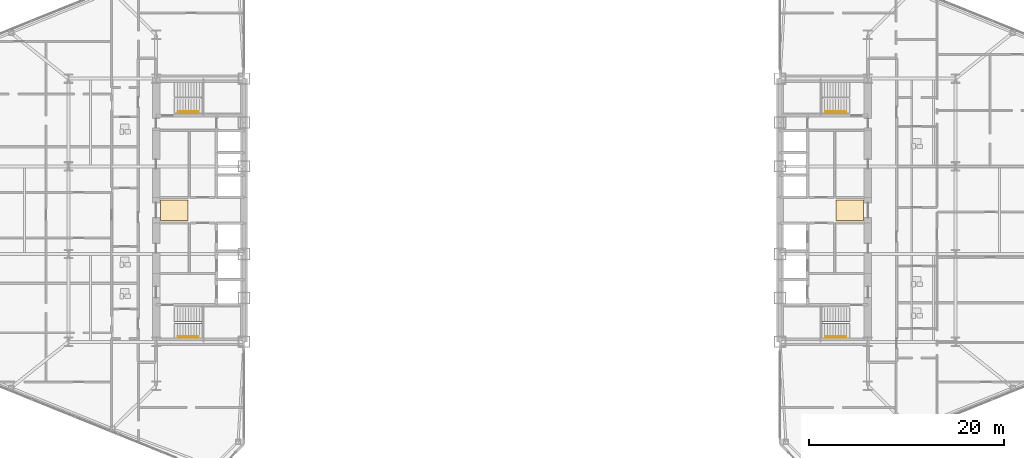
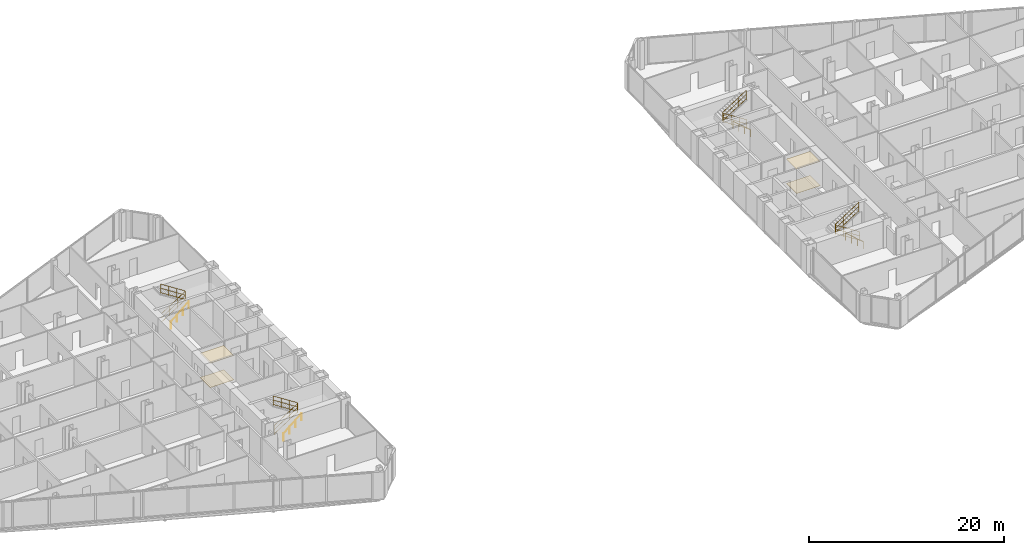
# One storey, part 24 of 25: 8 railings, 4 coverings.
"""IFC4 building model written with IfcOpenShell, lengths in metres."""

import ifcopenshell
import ifcopenshell.guid

model = None  # the IFC model being written
_history = None  # IfcOwnerHistory: only IFC2X3 demands one
_inside = {}  # id of a spatial element -> (the spatial element, [elements in it])
_under = {}  # id of a project, library or spatial element -> (it, [spatial elements below it])
_declared = {}  # id of a project -> (the project, [libraries it declares])
_typed = {}  # id of a type object -> (the type object, [elements of that type])
_made_of = {}  # id of a material, layer set ... -> (it, [elements and type objects made of it])


def new_model(schema):
    """Start an empty IFC model of exactly this schema.

    Asked for "IFC4X3", IfcOpenShell would pick the latest addendum, in which some entities
    have other attributes; the version numbers below select the first issue.
    IFC2X3 requires an IfcOwnerHistory on every rooted entity: one is made here for all.
    """
    global model, _history
    if schema == "IFC4X3":
        model = ifcopenshell.file(schema_version=(4, 3, 0, 0))
    else:
        model = ifcopenshell.file(schema=schema)
    _inside.clear()
    _under.clear()
    _declared.clear()
    _typed.clear()
    _made_of.clear()
    _history = None
    if model.schema == "IFC2X3":
        org = make("IfcOrganization", Name="unknown")
        user = make(
            "IfcPersonAndOrganization",
            ThePerson=make("IfcPerson", FamilyName="unknown"),
            TheOrganization=org,
        )
        app = make(
            "IfcApplication",
            ApplicationDeveloper=org,
            Version="unknown",
            ApplicationFullName="unknown",
            ApplicationIdentifier="unknown",
        )
        _history = make(
            "IfcOwnerHistory",
            OwningUser=user,
            OwningApplication=app,
            ChangeAction="ADDED",
            CreationDate=0,
        )
    return model


def make(cls, **values):
    """One entity of the class cls with the attributes given. An attribute that is None is left unset."""
    return model.create_entity(
        cls, **{name: value for name, value in values.items() if value is not None}
    )


def rooted(cls, **values):
    """An entity with a GlobalId (a new one), such as an element, a storey or a relation."""
    return make(cls, GlobalId=ifcopenshell.guid.new(), OwnerHistory=_history, **values)


def si_unit(unit_type, name, prefix=None):
    """IfcSIUnit, for example si_unit("LENGTHUNIT", "METRE", prefix="MILLI")."""
    return make("IfcSIUnit", UnitType=unit_type, Prefix=prefix, Name=name)


def assignment(units):
    """IfcUnitAssignment: the units of a project."""
    return None if units is None else make("IfcUnitAssignment", Units=units)


def point(xyz):
    """IfcCartesianPoint."""
    return None if xyz is None else make("IfcCartesianPoint", Coordinates=xyz)


def direction(xyz):
    """IfcDirection."""
    return None if xyz is None else make("IfcDirection", DirectionRatios=xyz)


def frame(location, z_axis=None, x_axis=None):
    """IfcAxis2Placement3D, a coordinate frame: its origin and axes. An axis left out is left unset."""
    return make(
        "IfcAxis2Placement3D",
        Location=point(location),
        Axis=direction(z_axis),
        RefDirection=direction(x_axis),
    )


def frame_2d(location, x_axis=None):
    """IfcAxis2Placement2D, a coordinate frame in the plane: its origin and x axis."""
    return make(
        "IfcAxis2Placement2D", Location=point(location), RefDirection=direction(x_axis)
    )


def origin():
    """The frame at (0, 0, 0) with its axes left unset."""
    return frame((0.0, 0.0, 0.0))


def origin_2d():
    """The frame at (0, 0) in the plane with its x axis left unset."""
    return frame_2d((0.0, 0.0))


def place(relative_to, where):
    """IfcLocalPlacement: puts the frame where relative to a parent placement (None: the world)."""
    return make(
        "IfcLocalPlacement", PlacementRelTo=relative_to, RelativePlacement=where
    )


def context(
    kind, dimensions, precision=None, world=None, true_north=None, identifier=None
):
    """IfcGeometricRepresentationContext, for example the 3D "Model" context."""
    return make(
        "IfcGeometricRepresentationContext",
        ContextIdentifier=identifier,
        ContextType=kind,
        CoordinateSpaceDimension=dimensions,
        Precision=precision,
        WorldCoordinateSystem=world,
        TrueNorth=true_north,
    )


def subcontext(parent, identifier, kind, view, scale=None):
    """IfcGeometricRepresentationSubContext, for example "Body" below "Model"."""
    return make(
        "IfcGeometricRepresentationSubContext",
        ContextIdentifier=identifier,
        ContextType=kind,
        ParentContext=parent,
        TargetScale=scale,
        TargetView=view,
    )


def project(units=None, contexts=None):
    """IfcProject with its units and contexts."""
    return rooted(
        "IfcProject",
        Name="project",
        RepresentationContexts=contexts,
        UnitsInContext=assignment(units),
    )


def spatial(cls, under=None, at=None, **own):
    """A site, building, storey or space (cls), placed at a placement, below another one or the project."""
    s = rooted(cls, ObjectPlacement=at, **own)
    if under is not None:
        _under.setdefault(under.id(), (under, []))[1].append(s)
    return s


def polyline(points):
    """IfcPolyline through the points."""
    return make("IfcPolyline", Points=[point(p) for p in points])


def profile(cls, at=None, kind="AREA", **sizes):
    """A parametric profile (cls). Its sizes go by their IFC names, for example OverallWidth=200.0."""
    return make(cls, ProfileType=kind, Position=at, **sizes)


def circle(**sizes):
    """IfcCircleProfileDef."""
    return profile("IfcCircleProfileDef", **sizes)


def outline(outer, holes=None, kind="AREA"):
    """IfcArbitraryClosedProfileDef: a profile drawn as a closed curve; with holes, ...WithVoids."""
    if holes is None:
        return make("IfcArbitraryClosedProfileDef", ProfileType=kind, OuterCurve=outer)
    return make(
        "IfcArbitraryProfileDefWithVoids",
        ProfileType=kind,
        OuterCurve=outer,
        InnerCurves=holes,
    )


def extrude(swept, where, along, depth):
    """IfcExtrudedAreaSolid: the profile swept, set in the frame where, extruded along a direction by depth."""
    return make(
        "IfcExtrudedAreaSolid",
        SweptArea=swept,
        Position=where,
        ExtrudedDirection=direction(along),
        Depth=depth,
    )


def shape(context_of_items, identifier, shape_type, items):
    """IfcShapeRepresentation: the items that make up one representation, for example the "Body"."""
    return make(
        "IfcShapeRepresentation",
        ContextOfItems=context_of_items,
        RepresentationIdentifier=identifier,
        RepresentationType=shape_type,
        Items=items,
    )


def material(Name=None, Category=None):
    """IfcMaterial."""
    return make("IfcMaterial", Name=Name, Category=Category)


def layer(
    of_material, thickness, ventilated=None, Name=None, Category=None, Priority=None
):
    """IfcMaterialLayer: one layer of a wall or slab, of a material (None: an air gap)."""
    return make(
        "IfcMaterialLayer",
        Material=of_material,
        LayerThickness=thickness,
        IsVentilated=ventilated,
        Name=Name,
        Category=Category,
        Priority=Priority,
    )


def layer_set(layers, Name=None):
    """IfcMaterialLayerSet."""
    return make("IfcMaterialLayerSet", MaterialLayers=layers, LayerSetName=Name)


def made_of(thing, what):
    """Note that an element or type object is made of a material, layer set ...; save() writes the relation."""
    if what is not None:
        _made_of.setdefault(what.id(), (what, []))[1].append(thing)
    return thing


def type_object(cls, material=None, **own):
    """A type object (cls), such as IfcWallType, which elements share."""
    return made_of(rooted(cls, **own), material)


def element(
    cls,
    number,
    at=None,
    inside=None,
    cuts=None,
    type_object=None,
    material=None,
    context=None,
    identifier="Body",
    shape_type=None,
    held_by="IfcProductDefinitionShape",
    body=None,
    shapes=None,
    **own,
):
    """One element of the class cls, such as IfcWall. Its Tag is "e" and its number.

    at: its placement. inside: the storey or other place that contains it. cuts: it is an
    opening in that element (IfcRelVoidsElement). A single representation is given by context,
    identifier, shape_type and body (its items); several are given by shapes. held_by: the class
    of the entity that holds the representations. save() writes the other relations.
    """
    e = rooted(cls, Tag="e%d" % number, ObjectPlacement=at, **own)
    if body is not None:
        shapes = [shape(context, identifier, shape_type, body)]
    if shapes is not None:
        e.Representation = make(held_by, Representations=shapes)
    if inside is not None:
        _inside.setdefault(inside.id(), (inside, []))[1].append(e)
    if cuts is not None:
        rooted(
            "IfcRelVoidsElement", RelatingBuildingElement=cuts, RelatedOpeningElement=e
        )
    if type_object is not None:
        _typed.setdefault(type_object.id(), (type_object, []))[1].append(e)
    return made_of(e, material)


def aggregate(whole, parts):
    """IfcRelAggregates: a whole, such as a stair, and the parts it consists of."""
    return rooted("IfcRelAggregates", RelatingObject=whole, RelatedObjects=parts)


def save(model, path):
    """Write the relations noted so far, then the file.

    IfcRelAggregates (storeys below a building ...), IfcRelContainedInSpatialStructure (elements
    in a storey), IfcRelDefinesByType, IfcRelAssociatesMaterial and IfcRelDeclares: one each for
    every whole, place, type object, material and project.
    """
    for whole, parts in _under.values():
        aggregate(whole, parts)
    for where, things in _inside.values():
        rooted(
            "IfcRelContainedInSpatialStructure",
            RelatedElements=things,
            RelatingStructure=where,
        )
    for kind, things in _typed.values():
        rooted("IfcRelDefinesByType", RelatedObjects=things, RelatingType=kind)
    for what, things in _made_of.values():
        rooted("IfcRelAssociatesMaterial", RelatedObjects=things, RelatingMaterial=what)
    for by, libraries in _declared.values():
        rooted("IfcRelDeclares", RelatingContext=by, RelatedDefinitions=libraries)
    model.write(path)


model = new_model("IFC4")

# Units and contexts
model_context = context("Model", 3, precision=1e-05, world=origin(), true_north=direction((0.0, 1.0)))
body_context = subcontext(model_context, "Body", "Model", "MODEL_VIEW")
ifc_project = project(units=[si_unit("LENGTHUNIT", "METRE"), si_unit("AREAUNIT", "SQUARE_METRE"), si_unit("VOLUMEUNIT", "CUBIC_METRE"), si_unit("PLANEANGLEUNIT", "RADIAN"), si_unit("MASSUNIT", "GRAM", prefix="KILO")], contexts=[model_context])

# Site, building, storey
site_placement = place(None, origin())
site = spatial("IfcSite", under=ifc_project, at=site_placement, CompositionType="ELEMENT")
building_placement = place(site_placement, origin())
building = spatial("IfcBuilding", under=site, at=building_placement, Name="Seokmaru Belvedere", CompositionType="ELEMENT")
storey_placement = place(building_placement, frame((0.0, 0.0, 22.5)))
storey = spatial("IfcBuildingStorey", under=building, at=storey_placement, Name="L05", CompositionType="ELEMENT", Elevation=22.5)

# Coverings
ifc_material_1 = material(Name="Engineered White Oak Timber", Category="wood")
ifc_layer_1 = layer(ifc_material_1, 0.02197265625)
ifc_layer_set_1 = layer_set([ifc_layer_1], Name="Engineered White Oak Timber")
covering_type_1 = type_object("IfcCoveringType", Name="Engineered Oak Residence Floor Finish 22", PredefinedType="FLOORING", material=ifc_layer_set_1)
covering_1_placement = place(storey_placement, origin())
element("IfcCovering", 1, at=covering_1_placement, inside=storey, type_object=covering_type_1, Name="L05 W Foyer Floor Finish", PredefinedType="FLOORING", context=body_context, shape_type="SweptSolid", body=[
    extrude(outline(polyline([(-36.050048828125, -1.050048828125), (-33.25, -1.050048828125), (-33.25, 1.050048828125), (-36.050048828125, 1.050048828125), (-36.050048828125, -1.050048828125)])), origin(), (0.0, 0.0, 1.0), 0.02197265625),
])
covering_2_placement = place(storey_placement, origin())
element("IfcCovering", 2, at=covering_2_placement, inside=storey, type_object=covering_type_1, Name="L05 E Foyer Floor Finish", PredefinedType="FLOORING", context=body_context, shape_type="SweptSolid", body=[
    extrude(outline(polyline([(33.25, -1.050048828125), (36.050048828125, -1.050048828125), (36.050048828125, 1.050048828125), (33.25, 1.050048828125), (33.25, -1.050048828125)])), origin(), (0.0, 0.0, 1.0), 0.02197265625),
])
ifc_material_2 = material(Name="Fire-Rated Gypsum Shaftwall")
ifc_layer_2 = layer(ifc_material_2, 0.02490234375)
ifc_layer_set_2 = layer_set([ifc_layer_2], Name="Fire-Rated Gypsum Shaftwall")
covering_type_2 = type_object("IfcCoveringType", Name="Perforated Acoustic Gypsum Suspended Ceiling 25", PredefinedType="CEILING", material=ifc_layer_set_2)
covering_3_placement = place(storey_placement, frame((0.0, 0.0, 3.030029296875)))
element("IfcCovering", 3, at=covering_3_placement, inside=storey, type_object=covering_type_2, Name="L05 W Lift Foyer Acoustic Ceiling", PredefinedType="CEILING", context=body_context, shape_type="SweptSolid", body=[
    extrude(outline(polyline([(-36.050048828125, -1.050048828125), (-33.25, -1.050048828125), (-33.25, 1.050048828125), (-36.050048828125, 1.050048828125), (-36.050048828125, -1.050048828125)])), origin(), (0.0, 0.0, 1.0), 0.02490234375),
])
covering_4_placement = place(storey_placement, frame((0.0, 0.0, 3.030029296875)))
element("IfcCovering", 4, at=covering_4_placement, inside=storey, type_object=covering_type_2, Name="L05 E Lift Foyer Acoustic Ceiling", PredefinedType="CEILING", context=body_context, shape_type="SweptSolid", body=[
    extrude(outline(polyline([(33.25, -1.050048828125), (36.050048828125, -1.050048828125), (36.050048828125, 1.050048828125), (33.25, 1.050048828125), (33.25, -1.050048828125)])), origin(), (0.0, 0.0, 1.0), 0.02490234375),
])

# Railings
ifc_material_3 = material(Name="Stainless Steel 316", Category="steel")
railing_type_1 = type_object("IfcRailingType", Name="Stainless Steel Wall and Flight Handrail 900", PredefinedType="HANDRAIL", material=ifc_material_3)
for number, where, name in (
    (5, (-34.25, -12.949951171875, 0.0), "L05 Stair ST-W1 Wall Handrail"),
    (6, (-34.25, 10.110107421875, 0.0), "L05 Stair ST-W2 Wall Handrail"),
):
    element("IfcRailing", number, at=place(storey_placement, frame(where)), inside=storey, type_object=railing_type_1, Name=name, PredefinedType="HANDRAIL", context=body_context, shape_type="SweptSolid", body=[
        extrude(circle(Radius=0.02392578125, at=origin_2d()), frame((0.0, 0.0, 0.8759765625), z_axis=(0.759262832861, 0.0, 0.650784104474), x_axis=(0.0, 1.0, 0.0)), (0.0, 0.0, 1.0), 2.765869140625),
        extrude(circle(Radius=0.02099609375, at=origin_2d()), origin(), (0.0, 0.0, 1.0), 0.851806640625),
        extrude(circle(Radius=0.02099609375, at=origin_2d()), frame((0.699951171875, 0.0, 0.60009765625)), (0.0, 0.0, 1.0), 0.851806640625),
        extrude(circle(Radius=0.02099609375, at=origin_2d()), frame((1.400146484375, 0.0, 1.199951171875)), (0.0, 0.0, 1.0), 0.851806640625),
        extrude(circle(Radius=0.02099609375, at=origin_2d()), frame((2.10009765625, 0.0, 1.800048828125)), (0.0, 0.0, 1.0), 0.851806640625),
    ])
for number, where, name in (
    (7, (34.25, -12.949951171875, 0.0), "L05 Stair ST-E1 Wall Handrail"),
    (8, (34.25, 10.110107421875, 0.0), "L05 Stair ST-E2 Wall Handrail"),
):
    element("IfcRailing", number, at=place(storey_placement, frame(where)), inside=storey, type_object=railing_type_1, Name=name, PredefinedType="HANDRAIL", context=body_context, shape_type="SweptSolid", body=[
        extrude(circle(Radius=0.02392578125, at=origin_2d()), frame((0.0, 0.0, 0.8759765625), z_axis=(-0.759262832861, 0.0, 0.650784104474), x_axis=(0.0, -1.0, 0.0)), (0.0, 0.0, 1.0), 2.765869140625),
        extrude(circle(Radius=0.02099609375, at=origin_2d()), origin(), (0.0, 0.0, 1.0), 0.851806640625),
        extrude(circle(Radius=0.02099609375, at=origin_2d()), frame((-0.699951171875, 0.0, 0.60009765625)), (0.0, 0.0, 1.0), 0.851806640625),
        extrude(circle(Radius=0.02099609375, at=origin_2d()), frame((-1.400146484375, 0.0, 1.199951171875)), (0.0, 0.0, 1.0), 0.851806640625),
        extrude(circle(Radius=0.02099609375, at=origin_2d()), frame((-2.10009765625, 0.0, 1.800048828125)), (0.0, 0.0, 1.0), 0.851806640625),
    ])
railing_type_2 = type_object("IfcRailingType", Name="Stair Well and Atrium Steel Guardrail 1200", PredefinedType="GUARDRAIL", material=ifc_material_3)
railing_1_placement = place(storey_placement, frame((-34.60009765625, -11.60009765625, 0.0)))
element("IfcRailing", 9, at=railing_1_placement, inside=storey, type_object=railing_type_2, Name="L05 Stair ST-W1 Inner Well Guardrail", PredefinedType="GUARDRAIL", context=body_context, shape_type="SweptSolid", body=[
    extrude(circle(Radius=0.02392578125, at=origin_2d()), frame((0.0, 0.0, 1.17578125), z_axis=(0.841176092368, 0.0, 0.540761298198), x_axis=(0.0, 1.0, 0.0)), (0.0, 0.0, 1.0), 3.32861328125),
    extrude(circle(Radius=0.02392578125, at=origin_2d()), frame((0.0, 0.0, 0.1201171875), z_axis=(0.841176092368, 0.0, 0.540761298198), x_axis=(0.0, 1.0, 0.0)), (0.0, 0.0, 1.0), 3.32861328125),
    extrude(circle(Radius=0.02392578125, at=origin_2d()), frame((0.0, 0.0, 0.659912109375), z_axis=(0.841176092368, 0.0, 0.540761298198), x_axis=(0.0, 1.0, 0.0)), (0.0, 0.0, 1.0), 3.32861328125),
    extrude(circle(Radius=0.02392578125, at=origin_2d()), frame((2.800048828125, 0.0, 2.97607421875), z_axis=(0.0, 1.0, 0.0), x_axis=(-1.0, 0.0, 0.0)), (0.0, 0.0, 1.0), 0.14013671875),
    extrude(circle(Radius=0.02392578125, at=origin_2d()), frame((2.800048828125, 0.0, 1.920166015625), z_axis=(0.0, 1.0, 0.0), x_axis=(-1.0, 0.0, 0.0)), (0.0, 0.0, 1.0), 0.14013671875),
    extrude(circle(Radius=0.02392578125, at=origin_2d()), frame((2.800048828125, 0.0, 2.4599609375), z_axis=(0.0, 1.0, 0.0), x_axis=(-1.0, 0.0, 0.0)), (0.0, 0.0, 1.0), 0.14013671875),
    extrude(circle(Radius=0.02392578125, at=origin_2d()), frame((2.800048828125, 0.14013671875, 2.97607421875), z_axis=(-0.841176092368, 0.0, 0.540761298198), x_axis=(0.0, -1.0, 0.0)), (0.0, 0.0, 1.0), 3.32861328125),
    extrude(circle(Radius=0.02392578125, at=origin_2d()), frame((2.800048828125, 0.14013671875, 1.920166015625), z_axis=(-0.841176092368, 0.0, 0.540761298198), x_axis=(0.0, -1.0, 0.0)), (0.0, 0.0, 1.0), 3.32861328125),
    extrude(circle(Radius=0.02392578125, at=origin_2d()), frame((2.800048828125, 0.14013671875, 2.4599609375), z_axis=(-0.841176092368, 0.0, 0.540761298198), x_axis=(0.0, -1.0, 0.0)), (0.0, 0.0, 1.0), 3.32861328125),
    extrude(circle(Radius=0.02099609375, at=origin_2d()), origin(), (0.0, 0.0, 1.0), 1.15185546875),
    extrude(circle(Radius=0.02099609375, at=origin_2d()), frame((0.933349609375, 0.0, 0.60009765625)), (0.0, 0.0, 1.0), 1.15185546875),
    extrude(circle(Radius=0.02099609375, at=origin_2d()), frame((1.86669921875, 0.0, 1.199951171875)), (0.0, 0.0, 1.0), 1.15185546875),
    extrude(circle(Radius=0.02099609375, at=origin_2d()), frame((2.800048828125, 0.0, 1.800048828125)), (0.0, 0.0, 1.0), 1.15185546875),
    extrude(circle(Radius=0.02099609375, at=origin_2d()), frame((2.800048828125, 0.14013671875, 1.800048828125)), (0.0, 0.0, 1.0), 1.15185546875),
    extrude(circle(Radius=0.02099609375, at=origin_2d()), frame((1.86669921875, 0.14013671875, 2.400146484375)), (0.0, 0.0, 1.0), 1.15185546875),
    extrude(circle(Radius=0.02099609375, at=origin_2d()), frame((0.933349609375, 0.14013671875, 3.0)), (0.0, 0.0, 1.0), 1.15185546875),
    extrude(circle(Radius=0.02099609375, at=origin_2d()), frame((0.0, 0.14013671875, 3.60009765625)), (0.0, 0.0, 1.0), 1.15185546875),
])
railing_2_placement = place(storey_placement, frame((-34.60009765625, 11.4599609375, 0.0)))
element("IfcRailing", 10, at=railing_2_placement, inside=storey, type_object=railing_type_2, Name="L05 Stair ST-W2 Inner Well Guardrail", PredefinedType="GUARDRAIL", context=body_context, shape_type="SweptSolid", body=[
    extrude(circle(Radius=0.02392578125, at=origin_2d()), frame((0.0, 0.0, 1.17578125), z_axis=(0.841176092368, 0.0, 0.540761298198), x_axis=(0.0, 1.0, 0.0)), (0.0, 0.0, 1.0), 3.32861328125),
    extrude(circle(Radius=0.02392578125, at=origin_2d()), frame((0.0, 0.0, 0.1201171875), z_axis=(0.841176092368, 0.0, 0.540761298198), x_axis=(0.0, 1.0, 0.0)), (0.0, 0.0, 1.0), 3.32861328125),
    extrude(circle(Radius=0.02392578125, at=origin_2d()), frame((0.0, 0.0, 0.659912109375), z_axis=(0.841176092368, 0.0, 0.540761298198), x_axis=(0.0, 1.0, 0.0)), (0.0, 0.0, 1.0), 3.32861328125),
    extrude(circle(Radius=0.02392578125, at=origin_2d()), frame((2.800048828125, 0.0, 2.97607421875), z_axis=(0.0, 1.0, 0.0), x_axis=(-1.0, 0.0, 0.0)), (0.0, 0.0, 1.0), 0.14013671875),
    extrude(circle(Radius=0.02392578125, at=origin_2d()), frame((2.800048828125, 0.0, 1.920166015625), z_axis=(0.0, 1.0, 0.0), x_axis=(-1.0, 0.0, 0.0)), (0.0, 0.0, 1.0), 0.14013671875),
    extrude(circle(Radius=0.02392578125, at=origin_2d()), frame((2.800048828125, 0.0, 2.4599609375), z_axis=(0.0, 1.0, 0.0), x_axis=(-1.0, 0.0, 0.0)), (0.0, 0.0, 1.0), 0.14013671875),
    extrude(circle(Radius=0.02392578125, at=origin_2d()), frame((2.800048828125, 0.14013671875, 2.97607421875), z_axis=(-0.841176092368, 0.0, 0.540761298198), x_axis=(0.0, -1.0, 0.0)), (0.0, 0.0, 1.0), 3.32861328125),
    extrude(circle(Radius=0.02392578125, at=origin_2d()), frame((2.800048828125, 0.14013671875, 1.920166015625), z_axis=(-0.841176092368, 0.0, 0.540761298198), x_axis=(0.0, -1.0, 0.0)), (0.0, 0.0, 1.0), 3.32861328125),
    extrude(circle(Radius=0.02392578125, at=origin_2d()), frame((2.800048828125, 0.14013671875, 2.4599609375), z_axis=(-0.841176092368, 0.0, 0.540761298198), x_axis=(0.0, -1.0, 0.0)), (0.0, 0.0, 1.0), 3.32861328125),
    extrude(circle(Radius=0.02099609375, at=origin_2d()), origin(), (0.0, 0.0, 1.0), 1.15185546875),
    extrude(circle(Radius=0.02099609375, at=origin_2d()), frame((0.933349609375, 0.0, 0.60009765625)), (0.0, 0.0, 1.0), 1.15185546875),
    extrude(circle(Radius=0.02099609375, at=origin_2d()), frame((1.86669921875, 0.0, 1.199951171875)), (0.0, 0.0, 1.0), 1.15185546875),
    extrude(circle(Radius=0.02099609375, at=origin_2d()), frame((2.800048828125, 0.0, 1.800048828125)), (0.0, 0.0, 1.0), 1.15185546875),
    extrude(circle(Radius=0.02099609375, at=origin_2d()), frame((2.800048828125, 0.14013671875, 1.800048828125)), (0.0, 0.0, 1.0), 1.15185546875),
    extrude(circle(Radius=0.02099609375, at=origin_2d()), frame((1.86669921875, 0.14013671875, 2.400146484375)), (0.0, 0.0, 1.0), 1.15185546875),
    extrude(circle(Radius=0.02099609375, at=origin_2d()), frame((0.933349609375, 0.14013671875, 3.0)), (0.0, 0.0, 1.0), 1.15185546875),
    extrude(circle(Radius=0.02099609375, at=origin_2d()), frame((0.0, 0.14013671875, 3.60009765625)), (0.0, 0.0, 1.0), 1.15185546875),
])
railing_3_placement = place(storey_placement, frame((34.60009765625, -11.60009765625, 0.0)))
element("IfcRailing", 11, at=railing_3_placement, inside=storey, type_object=railing_type_2, Name="L05 Stair ST-E1 Inner Well Guardrail", PredefinedType="GUARDRAIL", context=body_context, shape_type="SweptSolid", body=[
    extrude(circle(Radius=0.02392578125, at=origin_2d()), frame((0.0, 0.0, 1.17578125), z_axis=(-0.841176092368, 0.0, 0.540761298198), x_axis=(0.0, -1.0, 0.0)), (0.0, 0.0, 1.0), 3.32861328125),
    extrude(circle(Radius=0.02392578125, at=origin_2d()), frame((0.0, 0.0, 0.1201171875), z_axis=(-0.841176092368, 0.0, 0.540761298198), x_axis=(0.0, -1.0, 0.0)), (0.0, 0.0, 1.0), 3.32861328125),
    extrude(circle(Radius=0.02392578125, at=origin_2d()), frame((0.0, 0.0, 0.659912109375), z_axis=(-0.841176092368, 0.0, 0.540761298198), x_axis=(0.0, -1.0, 0.0)), (0.0, 0.0, 1.0), 3.32861328125),
    extrude(circle(Radius=0.02392578125, at=origin_2d()), frame((-2.800048828125, 0.0, 2.97607421875), z_axis=(0.0, 1.0, 0.0), x_axis=(-1.0, 0.0, 0.0)), (0.0, 0.0, 1.0), 0.14013671875),
    extrude(circle(Radius=0.02392578125, at=origin_2d()), frame((-2.800048828125, 0.0, 1.920166015625), z_axis=(0.0, 1.0, 0.0), x_axis=(-1.0, 0.0, 0.0)), (0.0, 0.0, 1.0), 0.14013671875),
    extrude(circle(Radius=0.02392578125, at=origin_2d()), frame((-2.800048828125, 0.0, 2.4599609375), z_axis=(0.0, 1.0, 0.0), x_axis=(-1.0, 0.0, 0.0)), (0.0, 0.0, 1.0), 0.14013671875),
    extrude(circle(Radius=0.02392578125, at=origin_2d()), frame((-2.800048828125, 0.14013671875, 2.97607421875), z_axis=(0.841176092368, 0.0, 0.540761298198), x_axis=(0.0, 1.0, 0.0)), (0.0, 0.0, 1.0), 3.32861328125),
    extrude(circle(Radius=0.02392578125, at=origin_2d()), frame((-2.800048828125, 0.14013671875, 1.920166015625), z_axis=(0.841176092368, 0.0, 0.540761298198), x_axis=(0.0, 1.0, 0.0)), (0.0, 0.0, 1.0), 3.32861328125),
    extrude(circle(Radius=0.02392578125, at=origin_2d()), frame((-2.800048828125, 0.14013671875, 2.4599609375), z_axis=(0.841176092368, 0.0, 0.540761298198), x_axis=(0.0, 1.0, 0.0)), (0.0, 0.0, 1.0), 3.32861328125),
    extrude(circle(Radius=0.02099609375, at=origin_2d()), origin(), (0.0, 0.0, 1.0), 1.15185546875),
    extrude(circle(Radius=0.02099609375, at=origin_2d()), frame((-0.933349609375, 0.0, 0.60009765625)), (0.0, 0.0, 1.0), 1.15185546875),
    extrude(circle(Radius=0.02099609375, at=origin_2d()), frame((-1.86669921875, 0.0, 1.199951171875)), (0.0, 0.0, 1.0), 1.15185546875),
    extrude(circle(Radius=0.02099609375, at=origin_2d()), frame((-2.800048828125, 0.0, 1.800048828125)), (0.0, 0.0, 1.0), 1.15185546875),
    extrude(circle(Radius=0.02099609375, at=origin_2d()), frame((-2.800048828125, 0.14013671875, 1.800048828125)), (0.0, 0.0, 1.0), 1.15185546875),
    extrude(circle(Radius=0.02099609375, at=origin_2d()), frame((-1.86669921875, 0.14013671875, 2.400146484375)), (0.0, 0.0, 1.0), 1.15185546875),
    extrude(circle(Radius=0.02099609375, at=origin_2d()), frame((-0.933349609375, 0.14013671875, 3.0)), (0.0, 0.0, 1.0), 1.15185546875),
    extrude(circle(Radius=0.02099609375, at=origin_2d()), frame((0.0, 0.14013671875, 3.60009765625)), (0.0, 0.0, 1.0), 1.15185546875),
])
railing_4_placement = place(storey_placement, frame((34.60009765625, 11.4599609375, 0.0)))
element("IfcRailing", 12, at=railing_4_placement, inside=storey, type_object=railing_type_2, Name="L05 Stair ST-E2 Inner Well Guardrail", PredefinedType="GUARDRAIL", context=body_context, shape_type="SweptSolid", body=[
    extrude(circle(Radius=0.02392578125, at=origin_2d()), frame((0.0, 0.0, 1.17578125), z_axis=(-0.841176092368, 0.0, 0.540761298198), x_axis=(0.0, -1.0, 0.0)), (0.0, 0.0, 1.0), 3.32861328125),
    extrude(circle(Radius=0.02392578125, at=origin_2d()), frame((0.0, 0.0, 0.1201171875), z_axis=(-0.841176092368, 0.0, 0.540761298198), x_axis=(0.0, -1.0, 0.0)), (0.0, 0.0, 1.0), 3.32861328125),
    extrude(circle(Radius=0.02392578125, at=origin_2d()), frame((0.0, 0.0, 0.659912109375), z_axis=(-0.841176092368, 0.0, 0.540761298198), x_axis=(0.0, -1.0, 0.0)), (0.0, 0.0, 1.0), 3.32861328125),
    extrude(circle(Radius=0.02392578125, at=origin_2d()), frame((-2.800048828125, 0.0, 2.97607421875), z_axis=(0.0, 1.0, 0.0), x_axis=(-1.0, 0.0, 0.0)), (0.0, 0.0, 1.0), 0.14013671875),
    extrude(circle(Radius=0.02392578125, at=origin_2d()), frame((-2.800048828125, 0.0, 1.920166015625), z_axis=(0.0, 1.0, 0.0), x_axis=(-1.0, 0.0, 0.0)), (0.0, 0.0, 1.0), 0.14013671875),
    extrude(circle(Radius=0.02392578125, at=origin_2d()), frame((-2.800048828125, 0.0, 2.4599609375), z_axis=(0.0, 1.0, 0.0), x_axis=(-1.0, 0.0, 0.0)), (0.0, 0.0, 1.0), 0.14013671875),
    extrude(circle(Radius=0.02392578125, at=origin_2d()), frame((-2.800048828125, 0.14013671875, 2.97607421875), z_axis=(0.841176092368, 0.0, 0.540761298198), x_axis=(0.0, 1.0, 0.0)), (0.0, 0.0, 1.0), 3.32861328125),
    extrude(circle(Radius=0.02392578125, at=origin_2d()), frame((-2.800048828125, 0.14013671875, 1.920166015625), z_axis=(0.841176092368, 0.0, 0.540761298198), x_axis=(0.0, 1.0, 0.0)), (0.0, 0.0, 1.0), 3.32861328125),
    extrude(circle(Radius=0.02392578125, at=origin_2d()), frame((-2.800048828125, 0.14013671875, 2.4599609375), z_axis=(0.841176092368, 0.0, 0.540761298198), x_axis=(0.0, 1.0, 0.0)), (0.0, 0.0, 1.0), 3.32861328125),
    extrude(circle(Radius=0.02099609375, at=origin_2d()), origin(), (0.0, 0.0, 1.0), 1.15185546875),
    extrude(circle(Radius=0.02099609375, at=origin_2d()), frame((-0.933349609375, 0.0, 0.60009765625)), (0.0, 0.0, 1.0), 1.15185546875),
    extrude(circle(Radius=0.02099609375, at=origin_2d()), frame((-1.86669921875, 0.0, 1.199951171875)), (0.0, 0.0, 1.0), 1.15185546875),
    extrude(circle(Radius=0.02099609375, at=origin_2d()), frame((-2.800048828125, 0.0, 1.800048828125)), (0.0, 0.0, 1.0), 1.15185546875),
    extrude(circle(Radius=0.02099609375, at=origin_2d()), frame((-2.800048828125, 0.14013671875, 1.800048828125)), (0.0, 0.0, 1.0), 1.15185546875),
    extrude(circle(Radius=0.02099609375, at=origin_2d()), frame((-1.86669921875, 0.14013671875, 2.400146484375)), (0.0, 0.0, 1.0), 1.15185546875),
    extrude(circle(Radius=0.02099609375, at=origin_2d()), frame((-0.933349609375, 0.14013671875, 3.0)), (0.0, 0.0, 1.0), 1.15185546875),
    extrude(circle(Radius=0.02099609375, at=origin_2d()), frame((0.0, 0.14013671875, 3.60009765625)), (0.0, 0.0, 1.0), 1.15185546875),
])

save(model, "model.ifc")
